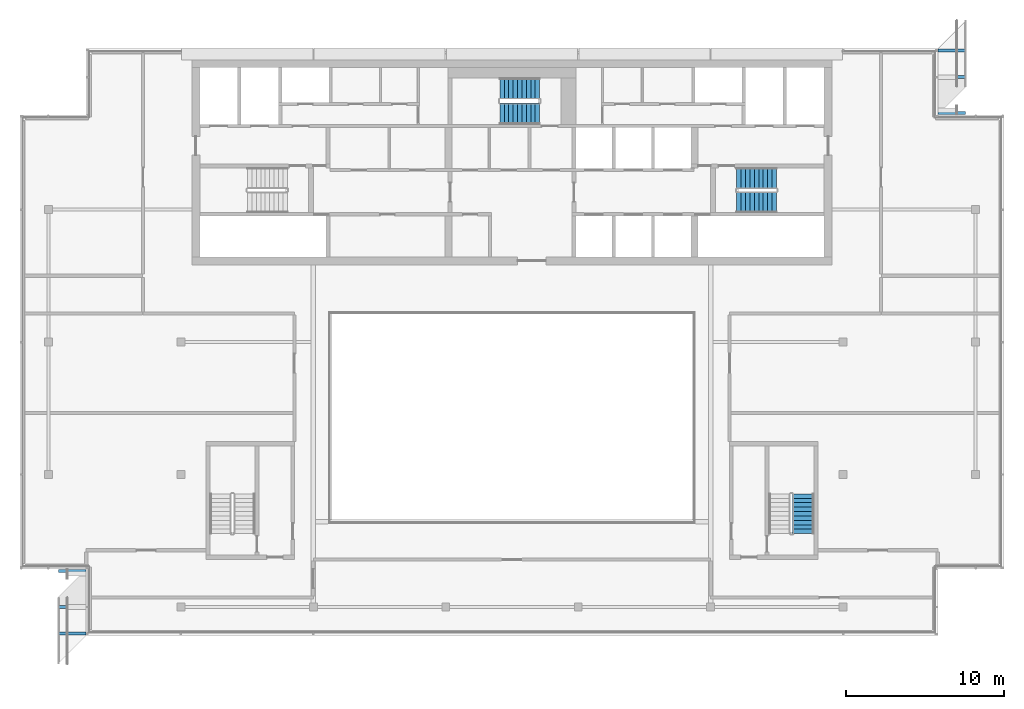
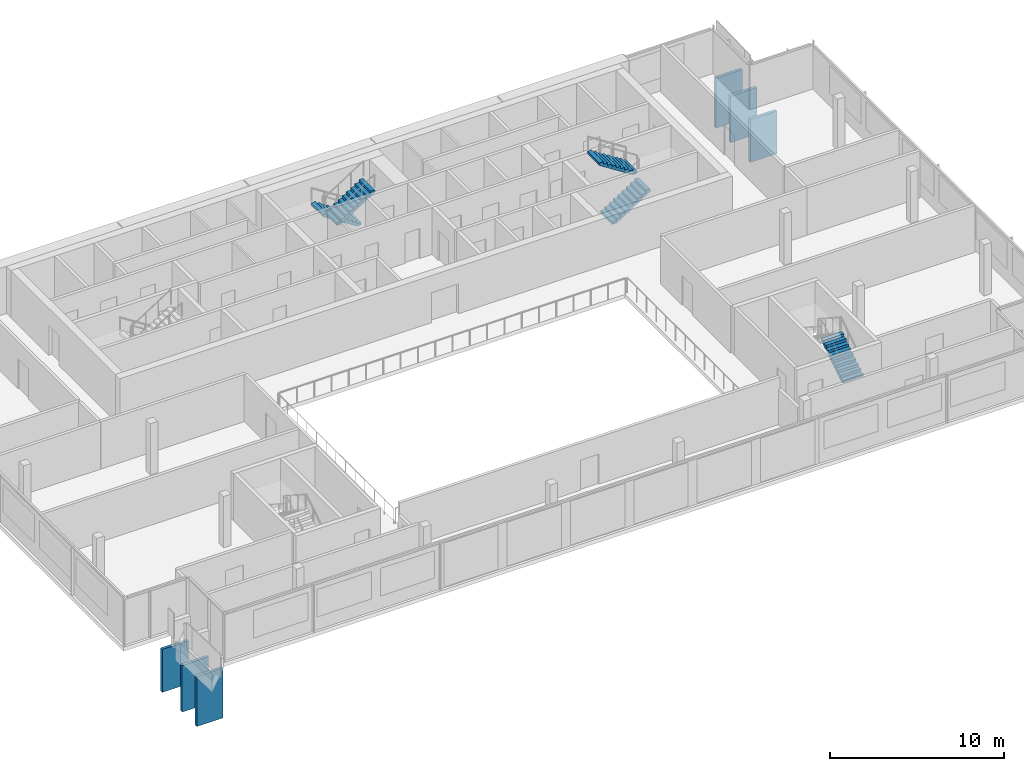
# One storey, part 16 of 19: 6 discrete accessories, 5 stair flights, 3 elements without a shape of their own.
"""IFC4 building model written with IfcOpenShell, lengths in metres."""

from ifc_helpers import new_model, si_unit, direction, frame, origin, origin_2d, place, context, subcontext, project, spatial, polyline, rectangle, outline, extrude, material, type_object, element, aggregate, save


model = new_model("IFC4")

# Units and contexts
model_context = context("Model", 3, precision=1e-05, world=origin(), true_north=direction((0.0, 1.0)))
body_context = subcontext(model_context, "Body", "Model", "MODEL_VIEW")
ifc_project = project(units=[si_unit("LENGTHUNIT", "METRE"), si_unit("AREAUNIT", "SQUARE_METRE"), si_unit("VOLUMEUNIT", "CUBIC_METRE"), si_unit("PLANEANGLEUNIT", "RADIAN"), si_unit("MASSUNIT", "GRAM", prefix="KILO")], contexts=[model_context])

# Site, building, storey
site_placement = place(None, origin())
site = spatial("IfcSite", under=ifc_project, at=site_placement, CompositionType="ELEMENT")
building_placement = place(site_placement, origin())
building = spatial("IfcBuilding", under=site, at=building_placement, Name="Saffron Gate Tower", CompositionType="ELEMENT")
storey_placement = place(building_placement, frame((0.0, 0.0, 306.75)))
storey = spatial("IfcBuildingStorey", under=building, at=storey_placement, Name="L75", CompositionType="ELEMENT", Elevation=306.75)

# Stair, stair flights
ifc_material = material(Name="Concrete C40", Category="concrete")
stair_type = type_object("IfcStairType", Name="ST7 Stair 1350 wide, 20 risers of 180", PredefinedType="HALF_TURN_STAIR", material=ifc_material)
stair_1_placement = place(storey_placement, origin())
stair_1 = element("IfcStair", 1, at=stair_1_placement, inside=storey, type_object=stair_type, Name="L75 Exit stair B", PredefinedType="HALF_TURN_STAIR")
stair_flight_type = type_object("IfcStairFlightType", Name="SF3 Stair flight 1350 wide, riser 180 going 280", PredefinedType="STRAIGHT", material=ifc_material)
stair_flight_1_placement = place(storey_placement, frame((101.85009765625, 65.875, 0.0), z_axis=(0.0, 0.0, 1.0), x_axis=(1.0, 0.0, 0.0)))
stair_flight_1 = element("IfcStairFlight", 2, at=stair_flight_1_placement, type_object=stair_flight_type, Name="ST-B flight 1", NumberOfRisers=10, NumberOfTreads=9, PredefinedType="STRAIGHT", RiserHeight=0.18, TreadLength=0.28, context=body_context, shape_type="SweptSolid", body=[
    extrude(outline(polyline([(0.0, 0.0), (0.0, 0.179931640625), (0.280029296875, 0.179931640625), (0.280029296875, 0.360107421875), (0.56005859375, 0.360107421875), (0.56005859375, 0.5400390625), (0.840087890625, 0.5400390625), (0.840087890625, 0.719970703125), (1.1201171875, 0.719970703125), (1.1201171875, 0.89990234375), (1.39990234375, 0.89990234375), (1.39990234375, 1.080078125), (1.679931640625, 1.080078125), (1.679931640625, 1.260009765625), (1.9599609375, 1.260009765625), (1.9599609375, 1.43994140625), (2.239990234375, 1.43994140625), (2.239990234375, 1.6201171875), (2.52001953125, 1.6201171875), (2.52001953125, 1.800048828125), (2.52001953125, 1.44189453125), (0.277099609375, 0.0), (0.0, 0.0)])), frame((0.0, 0.675048828125, 0.0), z_axis=(0.0, -1.0, 0.0), x_axis=(1.0, 0.0, 0.0)), (0.0, 0.0, 1.0), 1.35009765625),
])
stair_flight_2_placement = place(storey_placement, frame((104.3701171875, 67.375, 1.800048828125), z_axis=(0.0, 0.0, 1.0), x_axis=(-1.0, 0.0, 0.0)))
stair_flight_2 = element("IfcStairFlight", 3, at=stair_flight_2_placement, type_object=stair_flight_type, Name="ST-B flight 2", NumberOfRisers=10, NumberOfTreads=9, PredefinedType="STRAIGHT", RiserHeight=0.18, TreadLength=0.28, context=body_context, shape_type="SweptSolid", body=[
    extrude(outline(polyline([(0.0, 0.0), (0.0, 0.179931640625), (0.280029296875, 0.179931640625), (0.280029296875, 0.360107421875), (0.56005859375, 0.360107421875), (0.56005859375, 0.5400390625), (0.840087890625, 0.5400390625), (0.840087890625, 0.719970703125), (1.1201171875, 0.719970703125), (1.1201171875, 0.89990234375), (1.39990234375, 0.89990234375), (1.39990234375, 1.080078125), (1.679931640625, 1.080078125), (1.679931640625, 1.260009765625), (1.9599609375, 1.260009765625), (1.9599609375, 1.43994140625), (2.239990234375, 1.43994140625), (2.239990234375, 1.6201171875), (2.52001953125, 1.6201171875), (2.52001953125, 1.800048828125), (2.52001953125, 1.44189453125), (0.277099609375, 0.0), (0.0, 0.0)])), frame((0.0, 0.675048828125, 0.0), z_axis=(0.0, -1.0, 0.0), x_axis=(1.0, 0.0, 0.0)), (0.0, 0.0, 1.0), 1.35009765625),
])
aggregate(stair_1, [stair_flight_1, stair_flight_2])

stair_2_placement = place(storey_placement, origin())
stair_2 = element("IfcStair", 4, at=stair_2_placement, inside=storey, type_object=stair_type, Name="L75 Exit stair C", PredefinedType="HALF_TURN_STAIR")
stair_flight_3_placement = place(storey_placement, frame((89.35009765625, 73.074951171875, 0.0), z_axis=(0.0, 0.0, 1.0), x_axis=(-1.0, 0.0, 0.0)))
stair_flight_3 = element("IfcStairFlight", 5, at=stair_flight_3_placement, type_object=stair_flight_type, Name="ST-C flight 1", NumberOfRisers=10, NumberOfTreads=9, PredefinedType="STRAIGHT", RiserHeight=0.18, TreadLength=0.28, context=body_context, shape_type="SweptSolid", body=[
    extrude(outline(polyline([(0.0, 0.0), (0.0, 0.179931640625), (0.280029296875, 0.179931640625), (0.280029296875, 0.360107421875), (0.56005859375, 0.360107421875), (0.56005859375, 0.5400390625), (0.840087890625, 0.5400390625), (0.840087890625, 0.719970703125), (1.1201171875, 0.719970703125), (1.1201171875, 0.89990234375), (1.39990234375, 0.89990234375), (1.39990234375, 1.080078125), (1.679931640625, 1.080078125), (1.679931640625, 1.260009765625), (1.9599609375, 1.260009765625), (1.9599609375, 1.43994140625), (2.239990234375, 1.43994140625), (2.239990234375, 1.6201171875), (2.52001953125, 1.6201171875), (2.52001953125, 1.800048828125), (2.52001953125, 1.44189453125), (0.277099609375, 0.0), (0.0, 0.0)])), frame((0.0, 0.675048828125, 0.0), z_axis=(0.0, -1.0, 0.0), x_axis=(1.0, 0.0, 0.0)), (0.0, 0.0, 1.0), 1.35009765625),
])
stair_flight_4_placement = place(storey_placement, frame((86.830078125, 71.47509765625, 1.800048828125), z_axis=(0.0, 0.0, 1.0), x_axis=(1.0, 0.0, 0.0)))
stair_flight_4 = element("IfcStairFlight", 6, at=stair_flight_4_placement, type_object=stair_flight_type, Name="ST-C flight 2", NumberOfRisers=10, NumberOfTreads=9, PredefinedType="STRAIGHT", RiserHeight=0.18, TreadLength=0.28, context=body_context, shape_type="SweptSolid", body=[
    extrude(outline(polyline([(0.0, 0.0), (0.0, 0.179931640625), (0.280029296875, 0.179931640625), (0.280029296875, 0.360107421875), (0.56005859375, 0.360107421875), (0.56005859375, 0.5400390625), (0.840087890625, 0.5400390625), (0.840087890625, 0.719970703125), (1.1201171875, 0.719970703125), (1.1201171875, 0.89990234375), (1.39990234375, 0.89990234375), (1.39990234375, 1.080078125), (1.679931640625, 1.080078125), (1.679931640625, 1.260009765625), (1.9599609375, 1.260009765625), (1.9599609375, 1.43994140625), (2.239990234375, 1.43994140625), (2.239990234375, 1.6201171875), (2.52001953125, 1.6201171875), (2.52001953125, 1.800048828125), (2.52001953125, 1.44189453125), (0.277099609375, 0.0), (0.0, 0.0)])), frame((0.0, 0.675048828125, 0.0), z_axis=(0.0, -1.0, 0.0), x_axis=(1.0, 0.0, 0.0)), (0.0, 0.0, 1.0), 1.35009765625),
])
aggregate(stair_2, [stair_flight_3, stair_flight_4])

# Stair, stair flight
stair_3_placement = place(storey_placement, origin())
stair_3 = element("IfcStair", 7, at=stair_3_placement, inside=storey, type_object=stair_type, Name="L75 Exit stair E", PredefinedType="HALF_TURN_STAIR")
stair_flight_5_placement = place(storey_placement, frame((106.074951171875, 44.85009765625, 0.0), z_axis=(0.0, 0.0, 1.0), x_axis=(0.0, 1.0, 0.0)))
stair_flight_5 = element("IfcStairFlight", 8, at=stair_flight_5_placement, type_object=stair_flight_type, Name="ST-E flight 1", NumberOfRisers=10, NumberOfTreads=9, PredefinedType="STRAIGHT", RiserHeight=0.18, TreadLength=0.28, context=body_context, shape_type="SweptSolid", body=[
    extrude(outline(polyline([(0.0, 0.0), (0.0, 0.179931640625), (0.280029296875, 0.179931640625), (0.280029296875, 0.360107421875), (0.56005859375, 0.360107421875), (0.56005859375, 0.5400390625), (0.840087890625, 0.5400390625), (0.840087890625, 0.719970703125), (1.1201171875, 0.719970703125), (1.1201171875, 0.89990234375), (1.39990234375, 0.89990234375), (1.39990234375, 1.080078125), (1.679931640625, 1.080078125), (1.679931640625, 1.260009765625), (1.9599609375, 1.260009765625), (1.9599609375, 1.43994140625), (2.239990234375, 1.43994140625), (2.239990234375, 1.6201171875), (2.52001953125, 1.6201171875), (2.52001953125, 1.800048828125), (2.52001953125, 1.44189453125), (0.277099609375, 0.0), (0.0, 0.0)])), frame((0.0, 0.675048828125, 0.0), z_axis=(0.0, -1.0, 0.0), x_axis=(1.0, 0.0, 0.0)), (0.0, 0.0, 1.0), 1.35009765625),
])
aggregate(stair_3, [stair_flight_5])

# Discrete accessories
discrete_accessory_1_placement = place(storey_placement, frame((59.72509765625, 42.47998046875, -3.880126953125), z_axis=(0.0, 0.0, 1.0), x_axis=(0.0, -1.0, 0.0)))
element("IfcDiscreteAccessory", 9, at=discrete_accessory_1_placement, inside=storey, Name="LEDGE rib", PredefinedType="BRACKET", context=body_context, shape_type="SweptSolid", body=[
    extrude(rectangle(XDim=0.199951171875, YDim=1.75, at=origin_2d()), origin(), (0.0, 0.0, 1.0), 3.0029296875),
])
discrete_accessory_2_placement = place(storey_placement, frame((59.72509765625, 40.199951171875, -3.8798828125), z_axis=(0.0, 0.0, 1.0), x_axis=(0.0, -1.0, 0.0)))
element("IfcDiscreteAccessory", 10, at=discrete_accessory_2_placement, inside=storey, Name="LEDGE rib", PredefinedType="BRACKET", context=body_context, shape_type="SweptSolid", body=[
    extrude(rectangle(XDim=0.199951171875, YDim=1.75, at=origin_2d()), origin(), (0.0, 0.0, 1.0), 3.259033203125),
])
discrete_accessory_3_placement = place(storey_placement, frame((59.72509765625, 38.52001953125, -3.8798828125), z_axis=(0.0, 0.0, 1.0), x_axis=(0.0, -1.0, 0.0)))
element("IfcDiscreteAccessory", 11, at=discrete_accessory_3_placement, inside=storey, Name="LEDGE rib", PredefinedType="BRACKET", context=body_context, shape_type="SweptSolid", body=[
    extrude(rectangle(XDim=0.199951171875, YDim=1.75, at=origin_2d()), origin(), (0.0, 0.0, 1.0), 3.497802734375),
])
discrete_accessory_4_placement = place(storey_placement, frame((115.47509765625, 71.52001953125, -3.880126953125), z_axis=(0.0, 0.0, 1.0), x_axis=(0.0, 1.0, 0.0)))
element("IfcDiscreteAccessory", 12, at=discrete_accessory_4_placement, inside=storey, Name="LEDGE rib", PredefinedType="BRACKET", context=body_context, shape_type="SweptSolid", body=[
    extrude(rectangle(XDim=0.199951171875, YDim=1.75, at=origin_2d()), origin(), (0.0, 0.0, 1.0), 3.0029296875),
])
discrete_accessory_5_placement = place(storey_placement, frame((115.47509765625, 73.800048828125, -3.8798828125), z_axis=(0.0, 0.0, 1.0), x_axis=(0.0, 1.0, 0.0)))
element("IfcDiscreteAccessory", 13, at=discrete_accessory_5_placement, inside=storey, Name="LEDGE rib", PredefinedType="BRACKET", context=body_context, shape_type="SweptSolid", body=[
    extrude(rectangle(XDim=0.199951171875, YDim=1.75, at=origin_2d()), origin(), (0.0, 0.0, 1.0), 3.259033203125),
])
discrete_accessory_6_placement = place(storey_placement, frame((115.47509765625, 75.47998046875, -3.8798828125), z_axis=(0.0, 0.0, 1.0), x_axis=(0.0, 1.0, 0.0)))
element("IfcDiscreteAccessory", 14, at=discrete_accessory_6_placement, inside=storey, Name="LEDGE rib", PredefinedType="BRACKET", context=body_context, shape_type="SweptSolid", body=[
    extrude(rectangle(XDim=0.199951171875, YDim=1.75, at=origin_2d()), origin(), (0.0, 0.0, 1.0), 3.497802734375),
])

save(model, "model.ifc")
